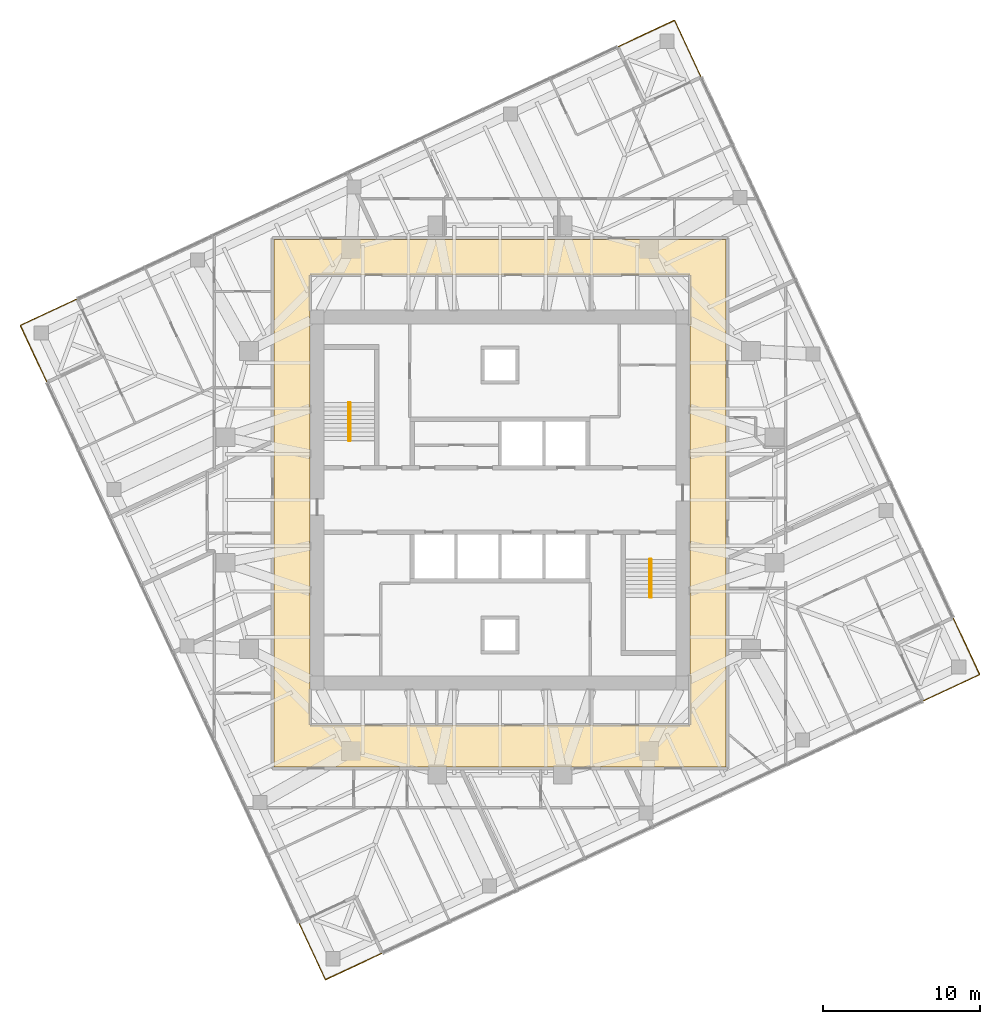
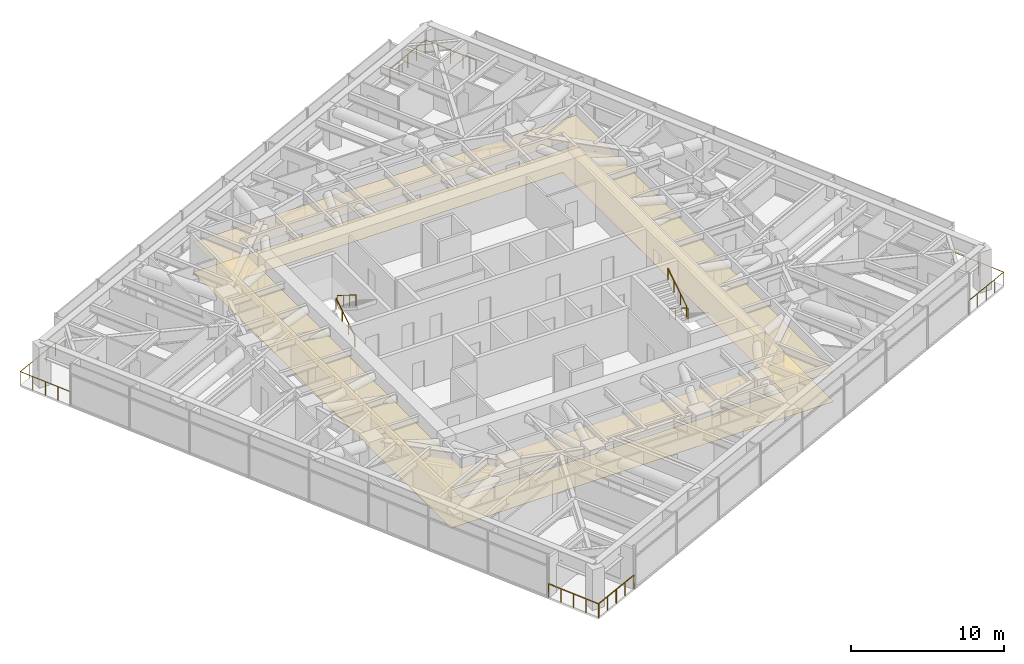
# One storey, part 16 of 16: 8 railings, 2 coverings, 2 elements without a shape of their own.
"""IFC4 building model written with IfcOpenShell, lengths in metres."""

from ifc_helpers import new_model, si_unit, direction, frame, origin, origin_2d, place, context, subcontext, project, spatial, polyline, circle, outline, extrude, material, layer, layer_set, type_object, element, aggregate, save


model = new_model("IFC4")

# Units and contexts
model_context = context("Model", 3, precision=1e-05, world=origin(), true_north=direction((0.0, 1.0)))
body_context = subcontext(model_context, "Body", "Model", "MODEL_VIEW")
ifc_project = project(units=[si_unit("LENGTHUNIT", "METRE"), si_unit("AREAUNIT", "SQUARE_METRE"), si_unit("VOLUMEUNIT", "CUBIC_METRE"), si_unit("PLANEANGLEUNIT", "RADIAN"), si_unit("MASSUNIT", "GRAM", prefix="KILO")], contexts=[model_context])

# Site, building, storey
site_placement = place(None, origin())
site = spatial("IfcSite", under=ifc_project, at=site_placement, CompositionType="ELEMENT")
building_placement = place(site_placement, origin())
building = spatial("IfcBuilding", under=site, at=building_placement, Name="Torsade Residences", CompositionType="ELEMENT")
storey_placement = place(building_placement, frame((0.0, 0.0, 199.800048828125)))
storey = spatial("IfcBuildingStorey", under=building, at=storey_placement, Name="L55", CompositionType="ELEMENT", Elevation=199.800048828125)

# Coverings
ifc_material_1 = material(Name="Nylon carpet tile on underlay", Category="textile")
ifc_layer_1 = layer(ifc_material_1, 0.010009765625)
ifc_layer_set_1 = layer_set([ifc_layer_1], Name="Nylon carpet tile on underlay")
covering_type_1 = type_object("IfcCoveringType", Name="CORRIDOR CARPET TILE 10", PredefinedType="FLOORING", material=ifc_layer_set_1)
covering_1_placement = place(storey_placement, origin())
element("IfcCovering", 1, at=covering_1_placement, inside=storey, type_object=covering_type_1, Name="Corridor carpet L55", PredefinedType="FLOORING", context=body_context, shape_type="SweptSolid", body=[
    extrude(outline(polyline([(25.60009765625, 46.60009765625), (25.60009765625, 13.0), (54.39990234375, 13.0), (54.39990234375, 46.60009765625), (25.60009765625, 46.60009765625)]), holes=[polyline([(52.10009765625, 44.35009765625), (27.89990234375, 44.35009765625), (27.89990234375, 15.64990234375), (52.10009765625, 15.64990234375), (52.10009765625, 44.35009765625)])]), origin(), (0.0, 0.0, 1.0), 0.010009765625),
])
ifc_material_2 = material(Name="Plasterboard on suspended steel grid", Category="steel")
ifc_layer_2 = layer(ifc_material_2, 0.012939453125)
ifc_layer_set_2 = layer_set([ifc_layer_2], Name="Plasterboard on suspended steel grid")
covering_type_2 = type_object("IfcCoveringType", Name="CORRIDOR SUSPENDED CEILING 13", PredefinedType="CEILING", material=ifc_layer_set_2)
covering_2_placement = place(storey_placement, frame((0.0, 0.0, 2.39990234375)))
element("IfcCovering", 2, at=covering_2_placement, inside=storey, type_object=covering_type_2, Name="Corridor ceiling L55", PredefinedType="CEILING", context=body_context, shape_type="SweptSolid", body=[
    extrude(outline(polyline([(25.60009765625, 46.60009765625), (25.60009765625, 13.0), (54.39990234375, 13.0), (54.39990234375, 46.60009765625), (25.60009765625, 46.60009765625)]), holes=[polyline([(52.10009765625, 44.35009765625), (27.89990234375, 44.35009765625), (27.89990234375, 15.64990234375), (52.10009765625, 15.64990234375), (52.10009765625, 44.35009765625)])]), origin(), (0.0, 0.0, 1.0), 0.012939453125),
])

# Stair, railings
ifc_material_3 = material(Name="Precast concrete 40 MPa", Category="concrete")
stair_type = type_object("IfcStairType", Name="HALF-TURN FIRE STAIR 1500x3400", PredefinedType="HALF_TURN_STAIR", material=ifc_material_3)
stair_1_placement = place(storey_placement, origin())
stair_1 = element("IfcStair", 3, at=stair_1_placement, inside=storey, type_object=stair_type, Name="Stair ST1 L55", PredefinedType="HALF_TURN_STAIR")
ifc_material_4 = material(Name="Steel handrail", Category="steel")
railing_type_1 = type_object("IfcRailingType", Name="STAIR HANDRAIL 900", PredefinedType="HANDRAIL", material=ifc_material_4)
railing_1_placement = place(storey_placement, frame((30.35009765625, 33.780029296875, 0.169921875)))
railing_1 = element("IfcRailing", 4, at=railing_1_placement, type_object=railing_type_1, Name="Handrail ST1 flight 1 L55", PredefinedType="HANDRAIL", context=body_context, shape_type="SweptSolid", body=[
    extrude(circle(Radius=0.02392578125, at=origin_2d()), frame((0.0, 0.0, 0.8759765625), z_axis=(0.0, 0.846221481393, 0.532831309544), x_axis=(-1.0, 0.0, 0.0)), (0.0, 0.0, 1.0), 2.87158203125),
    extrude(circle(Radius=0.02099609375, at=origin_2d()), origin(), (0.0, 0.0, 1.0), 0.851806640625),
    extrude(circle(Radius=0.02099609375, at=origin_2d()), frame((0.0, 0.81005859375, 0.510009765625)), (0.0, 0.0, 1.0), 0.851806640625),
    extrude(circle(Radius=0.02099609375, at=origin_2d()), frame((0.0, 1.619873046875, 1.02001953125)), (0.0, 0.0, 1.0), 0.851806640625),
    extrude(circle(Radius=0.02099609375, at=origin_2d()), frame((0.0, 2.429931640625, 1.530029296875)), (0.0, 0.0, 1.0), 0.851806640625),
])
railing_2_placement = place(storey_placement, frame((30.449951171875, 36.2099609375, 1.869873046875)))
railing_2 = element("IfcRailing", 5, at=railing_2_placement, type_object=railing_type_1, Name="Handrail ST1 flight 2 L55", PredefinedType="HANDRAIL", context=body_context, shape_type="SweptSolid", body=[
    extrude(circle(Radius=0.02392578125, at=origin_2d()), frame((0.0, 0.0, 0.8759765625), z_axis=(0.0, -0.846221481393, 0.532831309544), x_axis=(1.0, 0.0, 0.0)), (0.0, 0.0, 1.0), 2.87158203125),
    extrude(circle(Radius=0.02099609375, at=origin_2d()), origin(), (0.0, 0.0, 1.0), 0.851806640625),
    extrude(circle(Radius=0.02099609375, at=origin_2d()), frame((0.0, -0.81005859375, 0.510009765625)), (0.0, 0.0, 1.0), 0.851806640625),
    extrude(circle(Radius=0.02099609375, at=origin_2d()), frame((0.0, -1.619873046875, 1.02001953125)), (0.0, 0.0, 1.0), 0.851806640625),
    extrude(circle(Radius=0.02099609375, at=origin_2d()), frame((0.0, -2.429931640625, 1.530029296875)), (0.0, 0.0, 1.0), 0.851806640625),
])
aggregate(stair_1, [railing_1, railing_2])

stair_2_placement = place(storey_placement, origin())
stair_2 = element("IfcStair", 6, at=stair_2_placement, inside=storey, type_object=stair_type, Name="Stair ST2 L55", PredefinedType="HALF_TURN_STAIR")
railing_3_placement = place(storey_placement, frame((49.64990234375, 26.219970703125, 0.169921875)))
railing_3 = element("IfcRailing", 7, at=railing_3_placement, type_object=railing_type_1, Name="Handrail ST2 flight 1 L55", PredefinedType="HANDRAIL", context=body_context, shape_type="SweptSolid", body=[
    extrude(circle(Radius=0.02392578125, at=origin_2d()), frame((0.0, 0.0, 0.8759765625), z_axis=(0.0, -0.846221481393, 0.532831309544), x_axis=(1.0, 0.0, 0.0)), (0.0, 0.0, 1.0), 2.87158203125),
    extrude(circle(Radius=0.02099609375, at=origin_2d()), origin(), (0.0, 0.0, 1.0), 0.851806640625),
    extrude(circle(Radius=0.02099609375, at=origin_2d()), frame((0.0, -0.81005859375, 0.510009765625)), (0.0, 0.0, 1.0), 0.851806640625),
    extrude(circle(Radius=0.02099609375, at=origin_2d()), frame((0.0, -1.619873046875, 1.02001953125)), (0.0, 0.0, 1.0), 0.851806640625),
    extrude(circle(Radius=0.02099609375, at=origin_2d()), frame((0.0, -2.429931640625, 1.530029296875)), (0.0, 0.0, 1.0), 0.851806640625),
])
railing_4_placement = place(storey_placement, frame((49.550048828125, 23.7900390625, 1.869873046875)))
railing_4 = element("IfcRailing", 8, at=railing_4_placement, type_object=railing_type_1, Name="Handrail ST2 flight 2 L55", PredefinedType="HANDRAIL", context=body_context, shape_type="SweptSolid", body=[
    extrude(circle(Radius=0.02392578125, at=origin_2d()), frame((0.0, 0.0, 0.8759765625), z_axis=(0.0, 0.846221481393, 0.532831309544), x_axis=(-1.0, 0.0, 0.0)), (0.0, 0.0, 1.0), 2.87158203125),
    extrude(circle(Radius=0.02099609375, at=origin_2d()), origin(), (0.0, 0.0, 1.0), 0.851806640625),
    extrude(circle(Radius=0.02099609375, at=origin_2d()), frame((0.0, 0.81005859375, 0.510009765625)), (0.0, 0.0, 1.0), 0.851806640625),
    extrude(circle(Radius=0.02099609375, at=origin_2d()), frame((0.0, 1.619873046875, 1.02001953125)), (0.0, 0.0, 1.0), 0.851806640625),
    extrude(circle(Radius=0.02099609375, at=origin_2d()), frame((0.0, 2.429931640625, 1.530029296875)), (0.0, 0.0, 1.0), 0.851806640625),
])
aggregate(stair_2, [railing_3, railing_4])

# Railings
ifc_material_5 = material(Name="Laminated glass balustrade", Category="glass")
railing_type_2 = type_object("IfcRailingType", Name="TERRACE GLASS BALUSTRADE 1100", PredefinedType="BALUSTRADE", material=ifc_material_5)
railing_5_placement = place(storey_placement, frame((66.940185546875, 17.1845703125, 0.0)))
element("IfcRailing", 9, at=railing_5_placement, inside=storey, type_object=railing_type_2, Name="Terrace balustrade SE L55", PredefinedType="BALUSTRADE", context=body_context, shape_type="SweptSolid", body=[
    extrude(circle(Radius=0.02392578125, at=origin_2d()), frame((0.0, 0.0, 1.076171875), z_axis=(0.906278236866, 0.422681626502, 0.0), x_axis=(-0.422681626502, 0.906278236866, 0.0)), (0.0, 0.0, 1.0), 3.999755859375),
    extrude(circle(Radius=0.02392578125, at=origin_2d()), frame((3.625, 1.690673828125, 1.076171875), z_axis=(-0.422608113797, 0.906312519031, 0.0), x_axis=(-0.906312519031, -0.422608113797, 0.0)), (0.0, 0.0, 1.0), 4.0),
    extrude(circle(Radius=0.02099609375, at=origin_2d()), origin(), (0.0, 0.0, 1.0), 1.052001953125),
    extrude(circle(Radius=0.02099609375, at=origin_2d()), frame((0.90625, 0.422607421875, 0.0)), (0.0, 0.0, 1.0), 1.052001953125),
    extrude(circle(Radius=0.02099609375, at=origin_2d()), frame((1.8125, 0.84521484375, 0.0)), (0.0, 0.0, 1.0), 1.052001953125),
    extrude(circle(Radius=0.02099609375, at=origin_2d()), frame((2.71875, 1.26806640625, 0.0)), (0.0, 0.0, 1.0), 1.052001953125),
    extrude(circle(Radius=0.02099609375, at=origin_2d()), frame((3.625, 1.690673828125, 0.0)), (0.0, 0.0, 1.0), 1.052001953125),
    extrude(circle(Radius=0.02099609375, at=origin_2d()), frame((3.202392578125, 2.596923828125, 0.0)), (0.0, 0.0, 1.0), 1.052001953125),
    extrude(circle(Radius=0.02099609375, at=origin_2d()), frame((2.77978515625, 3.50341796875, 0.0)), (0.0, 0.0, 1.0), 1.052001953125),
    extrude(circle(Radius=0.02099609375, at=origin_2d()), frame((2.357177734375, 4.40966796875, 0.0)), (0.0, 0.0, 1.0), 1.052001953125),
    extrude(circle(Radius=0.02099609375, at=origin_2d()), frame((1.9345703125, 5.31591796875, 0.0)), (0.0, 0.0, 1.0), 1.052001953125),
])
railing_6_placement = place(storey_placement, frame((52.8154296875, 56.940185546875, 0.0)))
element("IfcRailing", 10, at=railing_6_placement, inside=storey, type_object=railing_type_2, Name="Terrace balustrade NE L55", PredefinedType="BALUSTRADE", context=body_context, shape_type="SweptSolid", body=[
    extrude(circle(Radius=0.02392578125, at=origin_2d()), frame((0.0, 0.0, 1.076171875), z_axis=(-0.422681626502, 0.906278236866, 0.0), x_axis=(-0.906278236866, -0.422681626502, 0.0)), (0.0, 0.0, 1.0), 3.999755859375),
    extrude(circle(Radius=0.02392578125, at=origin_2d()), frame((-1.690673828125, 3.625, 1.076171875), z_axis=(-0.906312519031, -0.422608113797, 0.0), x_axis=(0.422608113797, -0.906312519031, 0.0)), (0.0, 0.0, 1.0), 4.0),
    extrude(circle(Radius=0.02099609375, at=origin_2d()), origin(), (0.0, 0.0, 1.0), 1.052001953125),
    extrude(circle(Radius=0.02099609375, at=origin_2d()), frame((-0.422607421875, 0.90625, 0.0)), (0.0, 0.0, 1.0), 1.052001953125),
    extrude(circle(Radius=0.02099609375, at=origin_2d()), frame((-0.84521484375, 1.8125, 0.0)), (0.0, 0.0, 1.0), 1.052001953125),
    extrude(circle(Radius=0.02099609375, at=origin_2d()), frame((-1.26806640625, 2.71875, 0.0)), (0.0, 0.0, 1.0), 1.052001953125),
    extrude(circle(Radius=0.02099609375, at=origin_2d()), frame((-1.690673828125, 3.625, 0.0)), (0.0, 0.0, 1.0), 1.052001953125),
    extrude(circle(Radius=0.02099609375, at=origin_2d()), frame((-2.596923828125, 3.202392578125, 0.0)), (0.0, 0.0, 1.0), 1.052001953125),
    extrude(circle(Radius=0.02099609375, at=origin_2d()), frame((-3.50341796875, 2.77978515625, 0.0)), (0.0, 0.0, 1.0), 1.052001953125),
    extrude(circle(Radius=0.02099609375, at=origin_2d()), frame((-4.40966796875, 2.357177734375, 0.0)), (0.0, 0.0, 1.0), 1.052001953125),
    extrude(circle(Radius=0.02099609375, at=origin_2d()), frame((-5.31591796875, 1.9345703125, 0.0)), (0.0, 0.0, 1.0), 1.052001953125),
])
railing_7_placement = place(storey_placement, frame((13.059814453125, 42.8154296875, 0.0)))
element("IfcRailing", 11, at=railing_7_placement, inside=storey, type_object=railing_type_2, Name="Terrace balustrade NW L55", PredefinedType="BALUSTRADE", context=body_context, shape_type="SweptSolid", body=[
    extrude(circle(Radius=0.02392578125, at=origin_2d()), frame((0.0, 0.0, 1.076171875), z_axis=(-0.906278236866, -0.422681626502, 0.0), x_axis=(0.422681626502, -0.906278236866, 0.0)), (0.0, 0.0, 1.0), 3.999755859375),
    extrude(circle(Radius=0.02392578125, at=origin_2d()), frame((-3.625, -1.690673828125, 1.076171875), z_axis=(0.422608113797, -0.906312519031, 0.0), x_axis=(0.906312519031, 0.422608113797, 0.0)), (0.0, 0.0, 1.0), 4.0),
    extrude(circle(Radius=0.02099609375, at=origin_2d()), origin(), (0.0, 0.0, 1.0), 1.052001953125),
    extrude(circle(Radius=0.02099609375, at=origin_2d()), frame((-0.90625, -0.422607421875, 0.0)), (0.0, 0.0, 1.0), 1.052001953125),
    extrude(circle(Radius=0.02099609375, at=origin_2d()), frame((-1.8125, -0.84521484375, 0.0)), (0.0, 0.0, 1.0), 1.052001953125),
    extrude(circle(Radius=0.02099609375, at=origin_2d()), frame((-2.71875, -1.26806640625, 0.0)), (0.0, 0.0, 1.0), 1.052001953125),
    extrude(circle(Radius=0.02099609375, at=origin_2d()), frame((-3.625, -1.690673828125, 0.0)), (0.0, 0.0, 1.0), 1.052001953125),
    extrude(circle(Radius=0.02099609375, at=origin_2d()), frame((-3.202392578125, -2.596923828125, 0.0)), (0.0, 0.0, 1.0), 1.052001953125),
    extrude(circle(Radius=0.02099609375, at=origin_2d()), frame((-2.77978515625, -3.50341796875, 0.0)), (0.0, 0.0, 1.0), 1.052001953125),
    extrude(circle(Radius=0.02099609375, at=origin_2d()), frame((-2.357177734375, -4.40966796875, 0.0)), (0.0, 0.0, 1.0), 1.052001953125),
    extrude(circle(Radius=0.02099609375, at=origin_2d()), frame((-1.9345703125, -5.31591796875, 0.0)), (0.0, 0.0, 1.0), 1.052001953125),
])
railing_8_placement = place(storey_placement, frame((27.1845703125, 3.059814453125, 0.0)))
element("IfcRailing", 12, at=railing_8_placement, inside=storey, type_object=railing_type_2, Name="Terrace balustrade SW L55", PredefinedType="BALUSTRADE", context=body_context, shape_type="SweptSolid", body=[
    extrude(circle(Radius=0.02392578125, at=origin_2d()), frame((0.0, 0.0, 1.076171875), z_axis=(0.422681626502, -0.906278236866, 0.0), x_axis=(0.906278236866, 0.422681626502, 0.0)), (0.0, 0.0, 1.0), 3.999755859375),
    extrude(circle(Radius=0.02392578125, at=origin_2d()), frame((1.690673828125, -3.625, 1.076171875), z_axis=(0.906312519031, 0.422608113797, 0.0), x_axis=(-0.422608113797, 0.906312519031, 0.0)), (0.0, 0.0, 1.0), 4.0),
    extrude(circle(Radius=0.02099609375, at=origin_2d()), origin(), (0.0, 0.0, 1.0), 1.052001953125),
    extrude(circle(Radius=0.02099609375, at=origin_2d()), frame((0.422607421875, -0.90625, 0.0)), (0.0, 0.0, 1.0), 1.052001953125),
    extrude(circle(Radius=0.02099609375, at=origin_2d()), frame((0.84521484375, -1.8125, 0.0)), (0.0, 0.0, 1.0), 1.052001953125),
    extrude(circle(Radius=0.02099609375, at=origin_2d()), frame((1.26806640625, -2.71875, 0.0)), (0.0, 0.0, 1.0), 1.052001953125),
    extrude(circle(Radius=0.02099609375, at=origin_2d()), frame((1.690673828125, -3.625, 0.0)), (0.0, 0.0, 1.0), 1.052001953125),
    extrude(circle(Radius=0.02099609375, at=origin_2d()), frame((2.596923828125, -3.202392578125, 0.0)), (0.0, 0.0, 1.0), 1.052001953125),
    extrude(circle(Radius=0.02099609375, at=origin_2d()), frame((3.50341796875, -2.77978515625, 0.0)), (0.0, 0.0, 1.0), 1.052001953125),
    extrude(circle(Radius=0.02099609375, at=origin_2d()), frame((4.40966796875, -2.357177734375, 0.0)), (0.0, 0.0, 1.0), 1.052001953125),
    extrude(circle(Radius=0.02099609375, at=origin_2d()), frame((5.31591796875, -1.9345703125, 0.0)), (0.0, 0.0, 1.0), 1.052001953125),
])

save(model, "model.ifc")
